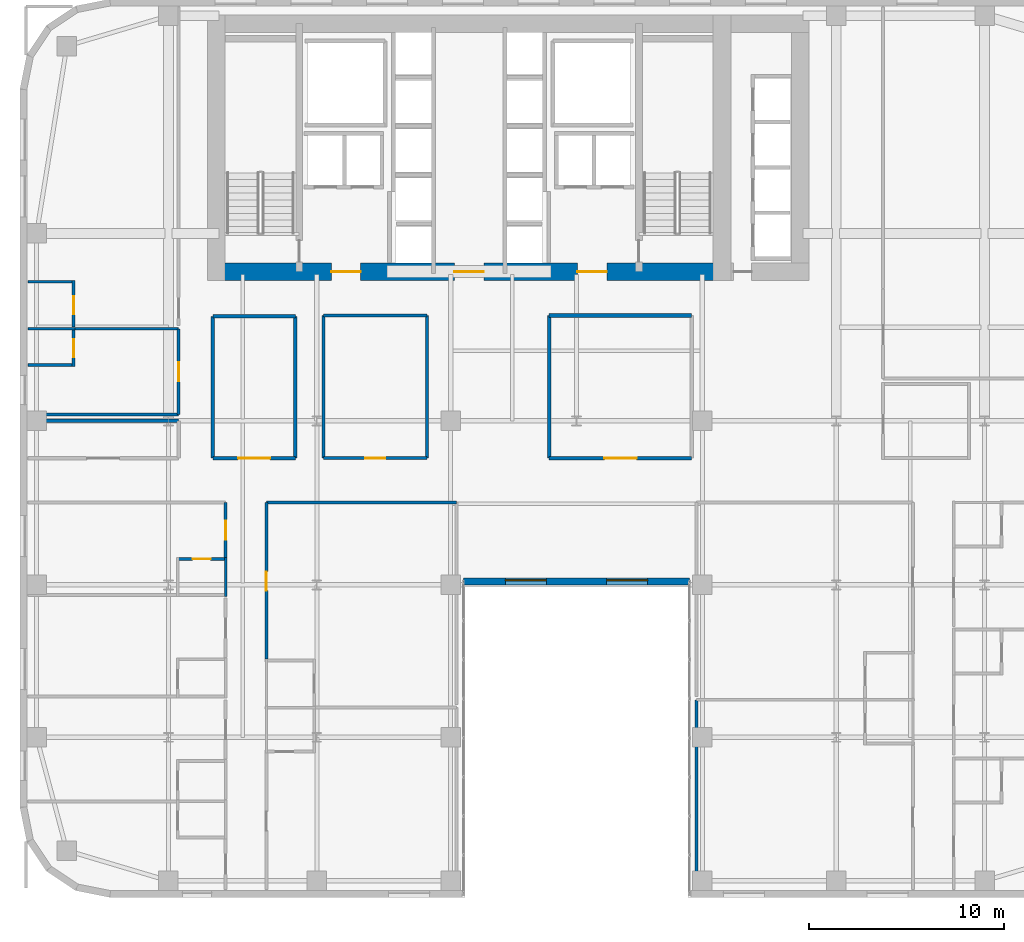
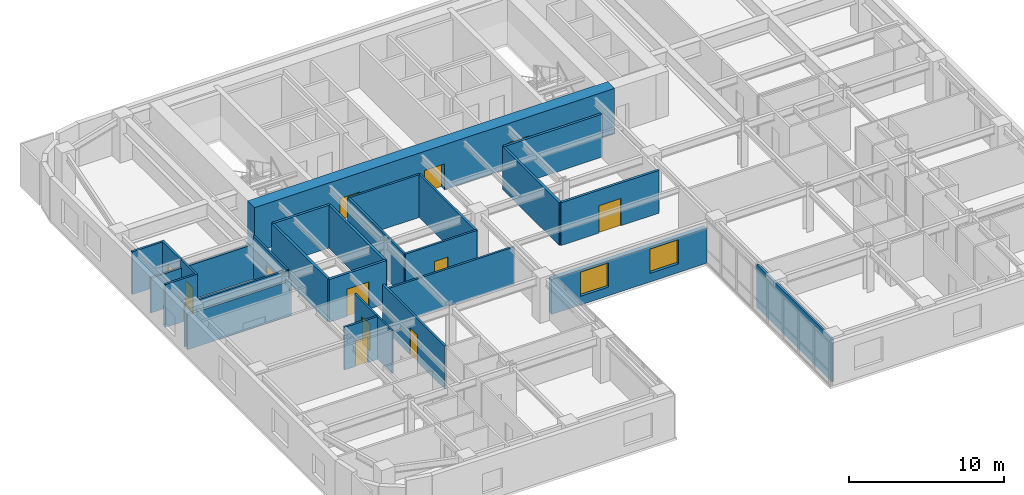
# One storey, part 11 of 16: 28 walls, 12 doors, 2 windows, 14 openings.
"""IFC4 building model written with IfcOpenShell, lengths in metres."""

from ifc_helpers import new_model, si_unit, direction, frame, frame_2d, origin, place, context, subcontext, project, spatial, rectangle, extrude, source, transform, mapped, material, layer, layer_set, type_object, type_shapes, element, fill, save


model = new_model("IFC4")

# Units and contexts
model_context = context("Model", 3, precision=1e-05, world=origin(), true_north=direction((0.0, 1.0)))
body_context = subcontext(model_context, "Body", "Model", "MODEL_VIEW")
ifc_project = project(units=[si_unit("LENGTHUNIT", "METRE"), si_unit("AREAUNIT", "SQUARE_METRE"), si_unit("VOLUMEUNIT", "CUBIC_METRE"), si_unit("PLANEANGLEUNIT", "RADIAN"), si_unit("MASSUNIT", "GRAM", prefix="KILO")], contexts=[model_context])

# Site, building, storey
site_placement = place(None, origin())
site = spatial("IfcSite", under=ifc_project, at=site_placement, CompositionType="ELEMENT")
building_placement = place(site_placement, origin())
building = spatial("IfcBuilding", under=site, at=building_placement, Name="Tolvann Quenvar Hotel", CompositionType="ELEMENT")
storey_placement = place(building_placement, frame((0.0, 0.0, 63.949951171875)))
storey = spatial("IfcBuildingStorey", under=building, at=storey_placement, Name="L15", CompositionType="ELEMENT", Elevation=63.949951171875)

# Wall, openings, doors
ifc_material_1 = material(Name="Concrete S80 (80 MPa)", Category="concrete")
ifc_layer_1 = layer(ifc_material_1, 0.89990234375)
ifc_layer_set_1 = layer_set([ifc_layer_1], Name="Concrete S80 (80 MPa)")
wall_type_1 = type_object("IfcWallType", Name="WALL_CORE_900", PredefinedType="SHEAR", material=ifc_layer_set_1)
wall_1_placement = place(storey_placement, frame((9.60009765625, 32.050048828125, 0.0), z_axis=(0.0, 0.0, 1.0), x_axis=(1.0, 0.0, 0.0)))
wall_1 = element("IfcWall", 1, at=wall_1_placement, inside=storey, type_object=wall_type_1, Name="Rear Core S Shear Wall (L15)", PredefinedType="SHEAR", context=body_context, shape_type="SweptSolid", body=[
    extrude(rectangle(XDim=26.7998046875, YDim=0.89990234375, at=frame_2d((13.39990234375, 0.0))), origin(), (0.0, 0.0, 1.0), 3.550048828125),
])
opening_1_placement = place(wall_1_placement, frame((7.85009765625, 0.0, 0.0), z_axis=(0.0, 0.0, 1.0), x_axis=(-1.0, 0.0, 0.0)))
opening_1 = element("IfcOpeningElement", 2, at=opening_1_placement, cuts=wall_1, Name="Opening FD-60D", PredefinedType="OPENING", context=body_context, shape_type="SweptSolid", body=[
    extrude(rectangle(XDim=1.5, YDim=2.0400390625, at=frame_2d((0.75, 1.02001953125))), frame((0.0, 0.4599609375, 0.0), z_axis=(0.0, -1.0, 0.0), x_axis=(1.0, 0.0, 0.0)), (0.0, 0.0, 1.0), 0.919921875),
])
opening_2_placement = place(wall_1_placement, frame((14.14990234375, 0.0, 0.0), z_axis=(0.0, 0.0, 1.0), x_axis=(-1.0, 0.0, 0.0)))
opening_2 = element("IfcOpeningElement", 3, at=opening_2_placement, cuts=wall_1, Name="Opening FD-60D", PredefinedType="OPENING", context=body_context, shape_type="SweptSolid", body=[
    extrude(rectangle(XDim=1.5, YDim=2.0400390625, at=frame_2d((0.75, 1.02001953125))), frame((0.0, 0.4599609375, 0.0), z_axis=(0.0, -1.0, 0.0), x_axis=(1.0, 0.0, 0.0)), (0.0, 0.0, 1.0), 0.919921875),
])
opening_3_placement = place(wall_1_placement, frame((20.449951171875, 0.0, 0.0), z_axis=(0.0, 0.0, 1.0), x_axis=(-1.0, 0.0, 0.0)))
opening_3 = element("IfcOpeningElement", 4, at=opening_3_placement, cuts=wall_1, Name="Opening FD-60D", PredefinedType="OPENING", context=body_context, shape_type="SweptSolid", body=[
    extrude(rectangle(XDim=1.5, YDim=2.0400390625, at=frame_2d((0.75, 1.02001953125))), frame((0.0, 0.4599609375, 0.0), z_axis=(0.0, -1.0, 0.0), x_axis=(1.0, 0.0, 0.0)), (0.0, 0.0, 1.0), 0.919921875),
])
ifc_material_2 = material(Name="Solid-core American oak acoustic fire door leaf in steel frame", Category="steel")
door_type_1 = type_object("IfcDoorType", Name="DOOR_FIRE_LOBBY_1500", OperationType="NOTDEFINED", PredefinedType="DOOR", material=ifc_material_2)
shared_shape_1 = source(origin(), body_context, "Body", "SweptSolid", [
    extrude(rectangle(XDim=1.5, YDim=2.0400390625, at=frame_2d((0.75, 1.02001953125))), frame((0.0, 0.02490234375, 0.0), z_axis=(0.0, -1.0, 0.0), x_axis=(1.0, 0.0, 0.0)), (0.0, 0.0, 1.0), 0.050048828125),
])
type_shapes(door_type_1, [shared_shape_1])
door_1_placement = place(opening_1_placement, origin())
door_1 = element("IfcDoor", 5, at=door_1_placement, inside=storey, type_object=door_type_1, Name="Core Lobby Fire Door FFW (L15)", OperationType="DOUBLE_DOOR_SINGLE_SWING", OverallHeight=2.0400390625, OverallWidth=1.5, PredefinedType="DOOR", context=body_context, shape_type="MappedRepresentation", body=[
    mapped(shared_shape_1, transform((0.0, 0.0, 0.0), x_axis=(1.0, 0.0, 0.0), y_axis=(0.0, 1.0, 0.0), z_axis=(0.0, 0.0, 1.0), scale=1.0)),
])
fill(opening_1, door_1)
door_2_placement = place(opening_2_placement, origin())
door_2 = element("IfcDoor", 6, at=door_2_placement, inside=storey, type_object=door_type_1, Name="Core Lobby Fire Door CLOB (L15)", OperationType="DOUBLE_DOOR_SINGLE_SWING", OverallHeight=2.0400390625, OverallWidth=1.5, PredefinedType="DOOR", context=body_context, shape_type="MappedRepresentation", body=[
    mapped(shared_shape_1, transform((0.0, 0.0, 0.0), x_axis=(1.0, 0.0, 0.0), y_axis=(0.0, 1.0, 0.0), z_axis=(0.0, 0.0, 1.0), scale=1.0)),
])
fill(opening_2, door_2)
door_3_placement = place(opening_3_placement, origin())
door_3 = element("IfcDoor", 7, at=door_3_placement, inside=storey, type_object=door_type_1, Name="Core Lobby Fire Door FFE (L15)", OperationType="DOUBLE_DOOR_SINGLE_SWING", OverallHeight=2.0400390625, OverallWidth=1.5, PredefinedType="DOOR", context=body_context, shape_type="MappedRepresentation", body=[
    mapped(shared_shape_1, transform((0.0, 0.0, 0.0), x_axis=(1.0, 0.0, 0.0), y_axis=(0.0, 1.0, 0.0), z_axis=(0.0, 0.0, 1.0), scale=1.0)),
])
fill(opening_3, door_3)

# Wall, openings, windows
ifc_material_3 = material(Name="Kiln-fired red and buff architectural clay brickwork and terracotta masonry", Category="masonry")
ifc_layer_2 = layer(ifc_material_3, 0.35009765625)
ifc_layer_set_2 = layer_set([ifc_layer_2], Name="Kiln-fired red and buff architectural clay brickwork and terracotta masonry")
wall_type_2 = type_object("IfcWallType", Name="WALL_EXT_BRICK_350", PredefinedType="SOLIDWALL", material=ifc_layer_set_2)
wall_2_placement = place(storey_placement, frame((22.7099609375, 16.175048828125, 0.0), z_axis=(0.0, 0.0, 1.0), x_axis=(1.0, 0.0, 0.0)))
wall_2 = element("IfcWall", 8, at=wall_2_placement, inside=storey, type_object=wall_type_2, Name="Exterior Chicago Brick Wall L15-E06", PredefinedType="SOLIDWALL", context=body_context, shape_type="SweptSolid", body=[
    extrude(rectangle(XDim=11.580078125, YDim=0.35009765625, at=frame_2d((5.7900390625, 0.0))), origin(), (0.0, 0.0, 1.0), 2.748046875),
])
opening_4_placement = place(wall_2_placement, frame((2.14501953125, 0.0, 0.679931640625)))
opening_4 = element("IfcOpeningElement", 9, at=opening_4_placement, cuts=wall_2, Name="Opening W-02", PredefinedType="OPENING", context=body_context, shape_type="SweptSolid", body=[
    extrude(rectangle(XDim=2.10009765625, YDim=1.89990234375, at=frame_2d((1.050048828125, 0.949951171875))), frame((0.0, 0.18505859375, 0.0), z_axis=(0.0, -1.0, 0.0), x_axis=(1.0, 0.0, 0.0)), (0.0, 0.0, 1.0), 0.3701171875),
])
opening_5_placement = place(wall_2_placement, frame((7.3349609375, 0.0, 0.679931640625)))
opening_5 = element("IfcOpeningElement", 10, at=opening_5_placement, cuts=wall_2, Name="Opening W-02", PredefinedType="OPENING", context=body_context, shape_type="SweptSolid", body=[
    extrude(rectangle(XDim=2.10009765625, YDim=1.89990234375, at=frame_2d((1.050048828125, 0.949951171875))), frame((0.0, 0.18505859375, 0.0), z_axis=(0.0, -1.0, 0.0), x_axis=(1.0, 0.0, 0.0)), (0.0, 0.0, 1.0), 0.3701171875),
])
ifc_material_4 = material(Name="Thermally broken bronze-anodised aluminium frame with double low-E glazing", Category="aluminium")
window_type = type_object("IfcWindowType", Name="WIN_CHI_2100x2050", PartitioningType="TRIPLE_PANEL_HORIZONTAL", PredefinedType="WINDOW", material=ifc_material_4)
shared_shape_2 = source(origin(), body_context, "Body", "SweptSolid", [
    extrude(rectangle(XDim=2.10009765625, YDim=1.89990234375, at=frame_2d((1.050048828125, 0.949951171875))), frame((0.0, 0.090087890625, 0.0), z_axis=(0.0, -1.0, 0.0), x_axis=(1.0, 0.0, 0.0)), (0.0, 0.0, 1.0), 0.06005859375),
])
type_shapes(window_type, [shared_shape_2])
window_1_placement = place(opening_4_placement, origin())
window_1 = element("IfcWindow", 11, at=window_1_placement, inside=storey, type_object=window_type, Name="Chicago Window W-02 (EW-L15-E06-W01)", OverallHeight=1.89990234375, OverallWidth=2.10009765625, PartitioningType="TRIPLE_PANEL_HORIZONTAL", PredefinedType="WINDOW", context=body_context, shape_type="MappedRepresentation", body=[
    mapped(shared_shape_2, transform((0.0, 0.0, 0.0), x_axis=(1.0, 0.0, 0.0), y_axis=(0.0, 1.0, 0.0), z_axis=(0.0, 0.0, 1.0), scale=1.0)),
])
fill(opening_4, window_1)
window_2_placement = place(opening_5_placement, origin())
window_2 = element("IfcWindow", 12, at=window_2_placement, inside=storey, type_object=window_type, Name="Chicago Window W-02 (EW-L15-E06-W02)", OverallHeight=1.89990234375, OverallWidth=2.10009765625, PartitioningType="TRIPLE_PANEL_HORIZONTAL", PredefinedType="WINDOW", context=body_context, shape_type="MappedRepresentation", body=[
    mapped(shared_shape_2, transform((0.0, 0.0, 0.0), x_axis=(1.0, 0.0, 0.0), y_axis=(0.0, 1.0, 0.0), z_axis=(0.0, 0.0, 1.0), scale=1.0)),
])
fill(opening_5, window_2)

# Wall
ifc_material_5 = material(Name="Acoustic twin-stud fire-rated gypsum plasterboard partition")
ifc_layer_3 = layer(ifc_material_5, 0.179931640625)
ifc_layer_set_3 = layer_set([ifc_layer_3], Name="Acoustic twin-stud fire-rated gypsum plasterboard partition")
wall_type_3 = type_object("IfcWallType", Name="WALL_PART_ACOUSTIC_180", PredefinedType="PARTITIONING", material=ifc_layer_set_3)
wall_3_placement = place(storey_placement, frame((0.405029296875, 24.39990234375, 0.0), z_axis=(0.0, 0.0, 1.0), x_axis=(1.0, 0.0, 0.0)))
element("IfcWall", 13, at=wall_3_placement, inside=storey, type_object=wall_type_3, Name="Interior Partition PT-SPC-L15-SAL-N", PredefinedType="PARTITIONING", context=body_context, shape_type="SweptSolid", body=[
    extrude(rectangle(XDim=7.715087890625, YDim=0.179931640625, at=frame_2d((3.857421875, 0.0))), origin(), (0.0, 0.0, 1.0), 2.748046875),
])

# Wall, opening, door
wall_4_placement = place(storey_placement, frame((9.8798828125, 22.5, 0.0), z_axis=(0.0, 0.0, 1.0), x_axis=(1.0, 0.0, 0.0)))
wall_4 = element("IfcWall", 14, at=wall_4_placement, inside=storey, type_object=wall_type_3, Name="Interior Partition PT-SPC-L15-MSP-W-S", PredefinedType="PARTITIONING", context=body_context, shape_type="SweptSolid", body=[
    extrude(rectangle(XDim=4.22021484375, YDim=0.179931640625, at=frame_2d((2.110107421875, 0.0))), origin(), (0.0, 0.0, 1.0), 3.3701171875),
])
opening_6_placement = place(wall_4_placement, frame((1.284912109375, 0.0, 0.0)))
opening_6 = element("IfcOpeningElement", 15, at=opening_6_placement, cuts=wall_4, Name="Opening AD-01", PredefinedType="OPENING", context=body_context, shape_type="SweptSolid", body=[
    extrude(rectangle(XDim=1.64990234375, YDim=2.14990234375, at=frame_2d((0.824951171875, 1.074951171875))), frame((0.0, 0.10009765625, 0.0), z_axis=(0.0, -1.0, 0.0), x_axis=(1.0, 0.0, 0.0)), (0.0, 0.0, 1.0), 0.199951171875),
])
door_type_2 = type_object("IfcDoorType", Name="DOOR_SALON_1650", OperationType="NOTDEFINED", PredefinedType="DOOR", material=ifc_material_2)
shared_shape_3 = source(origin(), body_context, "Body", "SweptSolid", [
    extrude(rectangle(XDim=1.64990234375, YDim=2.14990234375, at=frame_2d((0.824951171875, 1.074951171875))), frame((0.0, 0.02490234375, 0.0), z_axis=(0.0, -1.0, 0.0), x_axis=(1.0, 0.0, 0.0)), (0.0, 0.0, 1.0), 0.050048828125),
])
type_shapes(door_type_2, [shared_shape_3])
door_4_placement = place(opening_6_placement, origin())
door_4 = element("IfcDoor", 16, at=door_4_placement, inside=storey, type_object=door_type_2, Name="Interior Door DOOR-SPC-L15-MSP-W", OperationType="DOUBLE_DOOR_SINGLE_SWING", OverallHeight=2.14990234375, OverallWidth=1.64990234375, PredefinedType="DOOR", context=body_context, shape_type="MappedRepresentation", body=[
    mapped(shared_shape_3, transform((0.0, 0.0, 0.0), x_axis=(1.0, 0.0, 0.0), y_axis=(0.0, 1.0, 0.0), z_axis=(0.0, 0.0, 1.0), scale=1.0)),
])
fill(opening_6, door_4)

# Walls
wall_5_placement = place(storey_placement, frame((9.8798828125, 29.75, 0.0), z_axis=(0.0, 0.0, 1.0), x_axis=(1.0, 0.0, 0.0)))
element("IfcWall", 17, at=wall_5_placement, inside=storey, type_object=wall_type_3, Name="Interior Partition PT-SPC-L15-MSP-W-N", PredefinedType="PARTITIONING", context=body_context, shape_type="SweptSolid", body=[
    extrude(rectangle(XDim=4.22021484375, YDim=0.179931640625, at=frame_2d((2.110107421875, 0.0))), origin(), (0.0, 0.0, 1.0), 3.3701171875),
])
for number, where, z_axis, x_axis, name in (
    (18, (9.8798828125, 22.5, 0.0), (0.0, 0.0, 1.0), (0.0, 1.0, 0.0), "Interior Partition PT-SPC-L15-MSP-W-W"),
    (19, (14.10009765625, 22.5, 0.0), (0.0, 0.0, 1.0), (0.0, 1.0, 0.0), "Interior Partition PT-SPC-L15-MSP-W-E"),
):
    element("IfcWall", number, at=place(storey_placement, frame(where, z_axis=z_axis, x_axis=x_axis)), inside=storey, type_object=wall_type_3, Name=name, PredefinedType="PARTITIONING", context=body_context, shape_type="SweptSolid", body=[
        extrude(rectangle(XDim=7.25, YDim=0.179931640625, at=frame_2d((3.625, 0.0))), origin(), (0.0, 0.0, 1.0), 3.3701171875),
    ])

# Wall, opening, door
wall_6_placement = place(storey_placement, frame((27.10009765625, 22.5, 0.0), z_axis=(0.0, 0.0, 1.0), x_axis=(1.0, 0.0, 0.0)))
wall_6 = element("IfcWall", 20, at=wall_6_placement, inside=storey, type_object=wall_type_3, Name="Interior Partition PT-SPC-L15-MSP-C-S", PredefinedType="PARTITIONING", context=body_context, shape_type="SweptSolid", body=[
    extrude(rectangle(XDim=7.2998046875, YDim=0.179931640625, at=frame_2d((3.64990234375, 0.0))), origin(), (0.0, 0.0, 1.0), 3.3701171875),
])
opening_7_placement = place(wall_6_placement, frame((2.824951171875, 0.0, 0.0)))
opening_7 = element("IfcOpeningElement", 21, at=opening_7_placement, cuts=wall_6, Name="Opening AD-01", PredefinedType="OPENING", context=body_context, shape_type="SweptSolid", body=[
    extrude(rectangle(XDim=1.64990234375, YDim=2.14990234375, at=frame_2d((0.824951171875, 1.074951171875))), frame((0.0, 0.10009765625, 0.0), z_axis=(0.0, -1.0, 0.0), x_axis=(1.0, 0.0, 0.0)), (0.0, 0.0, 1.0), 0.199951171875),
])
door_5_placement = place(opening_7_placement, origin())
door_5 = element("IfcDoor", 22, at=door_5_placement, inside=storey, type_object=door_type_2, Name="Interior Door DOOR-SPC-L15-MSP-C", OperationType="DOUBLE_DOOR_SINGLE_SWING", OverallHeight=2.14990234375, OverallWidth=1.64990234375, PredefinedType="DOOR", context=body_context, shape_type="MappedRepresentation", body=[
    mapped(shared_shape_3, transform((0.0, 0.0, 0.0), x_axis=(1.0, 0.0, 0.0), y_axis=(0.0, 1.0, 0.0), z_axis=(0.0, 0.0, 1.0), scale=1.0)),
])
fill(opening_7, door_5)

# Walls
wall_7_placement = place(storey_placement, frame((27.10009765625, 29.800048828125, 0.0), z_axis=(0.0, 0.0, 1.0), x_axis=(1.0, 0.0, 0.0)))
element("IfcWall", 23, at=wall_7_placement, inside=storey, type_object=wall_type_3, Name="Interior Partition PT-SPC-L15-MSP-C-N", PredefinedType="PARTITIONING", context=body_context, shape_type="SweptSolid", body=[
    extrude(rectangle(XDim=7.2998046875, YDim=0.179931640625, at=frame_2d((3.64990234375, 0.0))), origin(), (0.0, 0.0, 1.0), 3.3701171875),
])
wall_8_placement = place(storey_placement, frame((27.10009765625, 22.5, 0.0), z_axis=(0.0, 0.0, 1.0), x_axis=(0.0, 1.0, 0.0)))
element("IfcWall", 24, at=wall_8_placement, inside=storey, type_object=wall_type_3, Name="Interior Partition PT-SPC-L15-MSP-C-W", PredefinedType="PARTITIONING", context=body_context, shape_type="SweptSolid", body=[
    extrude(rectangle(XDim=7.300048828125, YDim=0.179931640625, at=frame_2d((3.64990234375, 0.0))), origin(), (0.0, 0.0, 1.0), 3.3701171875),
])
ifc_material_6 = material(Name="Moisture-resistant acoustic plumbing wall assembly")
ifc_layer_4 = layer(ifc_material_6, 0.1201171875)
ifc_layer_set_4 = layer_set([ifc_layer_4], Name="Moisture-resistant acoustic plumbing wall assembly")
wall_type_4 = type_object("IfcWallType", Name="WALL_PART_BATH_120", PredefinedType="PLUMBINGWALL", material=ifc_layer_set_4)
wall_9_placement = place(storey_placement, frame((10.530029296875, 15.409912109375, 0.0), z_axis=(0.0, 0.0, 1.0), x_axis=(0.0, 1.0, 0.0)))
element("IfcWall", 25, at=wall_9_placement, inside=storey, type_object=wall_type_4, Name="Non-Rated Plumbing Partition PT-SPC-L15-ENS-WO04-E", PredefinedType="PLUMBINGWALL", context=body_context, shape_type="SweptSolid", body=[
    extrude(rectangle(XDim=1.989990234375, YDim=0.1201171875, at=frame_2d((0.9951171875, 0.0))), origin(), (0.0, 0.0, 1.0), 3.3701171875),
])
wall_10_placement = place(storey_placement, frame((0.405029296875, 29.1201171875, 0.0), z_axis=(0.0, 0.0, 1.0), x_axis=(1.0, 0.0, 0.0)))
element("IfcWall", 26, at=wall_10_placement, inside=storey, type_object=wall_type_4, Name="Non-Rated Plumbing Partition PT-SPC-L15-ENS-NW01-N", PredefinedType="PLUMBINGWALL", context=body_context, shape_type="SweptSolid", body=[
    extrude(rectangle(XDim=2.4150390625, YDim=0.1201171875, at=frame_2d((1.20751953125, 0.0))), origin(), (0.0, 0.0, 1.0), 2.748046875),
])

# Wall, opening, door
ifc_layer_5 = layer(ifc_material_5, 0.14990234375)
ifc_layer_set_5 = layer_set([ifc_layer_5], Name="Acoustic twin-stud fire-rated gypsum plasterboard partition")
wall_type_5 = type_object("IfcWallType", Name="WALL_PART_SUITE_150", PredefinedType="PARTITIONING", material=ifc_layer_set_5)
wall_11_placement = place(storey_placement, frame((8.010009765625, 17.330078125, 0.0), z_axis=(0.0, 0.0, 1.0), x_axis=(1.0, 0.0, 0.0)))
wall_11 = element("IfcWall", 27, at=wall_11_placement, inside=storey, type_object=wall_type_5, Name="Interior Partition PT-SPC-L15-ENS-WO04-N", PredefinedType="PARTITIONING", context=body_context, shape_type="SweptSolid", body=[
    extrude(rectangle(XDim=2.590087890625, YDim=0.14990234375, at=frame_2d((1.294921875, 0.0))), origin(), (0.0, 0.0, 1.0), 3.3701171875),
])
opening_8_placement = place(wall_11_placement, frame((0.8349609375, 0.0, 0.0)))
opening_8 = element("IfcOpeningElement", 28, at=opening_8_placement, cuts=wall_11, Name="Opening WD-01", PredefinedType="OPENING", context=body_context, shape_type="SweptSolid", body=[
    extrude(rectangle(XDim=0.919921875, YDim=2.010009765625, at=frame_2d((0.4599609375, 1.0048828125))), frame((0.0, 0.0849609375, 0.0), z_axis=(0.0, -1.0, 0.0), x_axis=(1.0, 0.0, 0.0)), (0.0, 0.0, 1.0), 0.169921875),
])
door_type_3 = type_object("IfcDoorType", Name="DOOR_WC_920", OperationType="NOTDEFINED", PredefinedType="DOOR", material=ifc_material_2)
shared_shape_4 = source(origin(), body_context, "Body", "SweptSolid", [
    extrude(rectangle(XDim=0.919921875, YDim=2.010009765625, at=frame_2d((0.4599609375, 1.0048828125))), frame((0.0, 0.02490234375, 0.0), z_axis=(0.0, -1.0, 0.0), x_axis=(1.0, 0.0, 0.0)), (0.0, 0.0, 1.0), 0.050048828125),
])
type_shapes(door_type_3, [shared_shape_4])
door_6_placement = place(opening_8_placement, origin())
door_6 = element("IfcDoor", 29, at=door_6_placement, inside=storey, type_object=door_type_3, Name="Interior Door DOOR-SPC-L15-ENS-WO04", OperationType="SINGLE_SWING_LEFT", OverallHeight=2.010009765625, OverallWidth=0.919921875, PredefinedType="DOOR", context=body_context, shape_type="MappedRepresentation", body=[
    mapped(shared_shape_4, transform((0.0, 0.0, 0.0), x_axis=(1.0, 0.0, 0.0), y_axis=(0.0, 1.0, 0.0), z_axis=(0.0, 0.0, 1.0), scale=1.0)),
])
fill(opening_8, door_6)

wall_12_placement = place(storey_placement, frame((2.75, 27.199951171875, 0.0), z_axis=(0.0, 0.0, 1.0), x_axis=(0.0, 1.0, 0.0)))
wall_12 = element("IfcWall", 30, at=wall_12_placement, inside=storey, type_object=wall_type_5, Name="Interior Partition PT-SPC-L15-ENS-NW01-ENT", PredefinedType="PARTITIONING", context=body_context, shape_type="SweptSolid", body=[
    extrude(rectangle(XDim=1.989990234375, YDim=0.14990234375, at=frame_2d((0.9951171875, 0.0))), origin(), (0.0, 0.0, 1.0), 3.3701171875),
])
opening_9_placement = place(wall_12_placement, frame((0.465087890625, 0.0, 0.0)))
opening_9 = element("IfcOpeningElement", 31, at=opening_9_placement, cuts=wall_12, Name="Opening WD-01", PredefinedType="OPENING", context=body_context, shape_type="SweptSolid", body=[
    extrude(rectangle(XDim=0.919921875, YDim=2.010009765625, at=frame_2d((0.4599609375, 1.0048828125))), frame((0.0, 0.0849609375, 0.0), z_axis=(0.0, -1.0, 0.0), x_axis=(1.0, 0.0, 0.0)), (0.0, 0.0, 1.0), 0.169921875),
])
door_7_placement = place(opening_9_placement, origin())
door_7 = element("IfcDoor", 32, at=door_7_placement, inside=storey, type_object=door_type_3, Name="Interior Door DOOR-SPC-L15-ENS-NW01", OperationType="SINGLE_SWING_LEFT", OverallHeight=2.010009765625, OverallWidth=0.919921875, PredefinedType="DOOR", context=body_context, shape_type="MappedRepresentation", body=[
    mapped(shared_shape_4, transform((0.0, 0.0, 0.0), x_axis=(1.0, 0.0, 0.0), y_axis=(0.0, 1.0, 0.0), z_axis=(0.0, 0.0, 1.0), scale=1.0)),
])
fill(opening_9, door_7)

# Wall
wall_13_placement = place(storey_placement, frame((0.405029296875, 27.27001953125, 0.0), z_axis=(0.0, 0.0, 1.0), x_axis=(1.0, 0.0, 0.0)))
element("IfcWall", 33, at=wall_13_placement, inside=storey, type_object=wall_type_5, Name="Interior Partition PT-SPC-L15-ENS-NW01-S", PredefinedType="PARTITIONING", context=body_context, shape_type="SweptSolid", body=[
    extrude(rectangle(XDim=2.4150390625, YDim=0.14990234375, at=frame_2d((1.20751953125, 0.0))), origin(), (0.0, 0.0, 1.0), 3.3701171875),
])

# Wall, opening, door
wall_14_placement = place(storey_placement, frame((2.75, 29.2099609375, 0.0), z_axis=(0.0, 0.0, 1.0), x_axis=(0.0, 1.0, 0.0)))
wall_14 = element("IfcWall", 34, at=wall_14_placement, inside=storey, type_object=wall_type_5, Name="Interior Partition PT-SPC-L15-ENS-NW02-ENT", PredefinedType="PARTITIONING", context=body_context, shape_type="SweptSolid", body=[
    extrude(rectangle(XDim=2.39013671875, YDim=0.14990234375, at=frame_2d((1.195068359375, 0.0))), origin(), (0.0, 0.0, 1.0), 3.3701171875),
])
opening_10_placement = place(wall_14_placement, frame((0.6650390625, 0.0, 0.0)))
opening_10 = element("IfcOpeningElement", 35, at=opening_10_placement, cuts=wall_14, Name="Opening WD-01", PredefinedType="OPENING", context=body_context, shape_type="SweptSolid", body=[
    extrude(rectangle(XDim=0.919921875, YDim=2.010009765625, at=frame_2d((0.4599609375, 1.0048828125))), frame((0.0, 0.0849609375, 0.0), z_axis=(0.0, -1.0, 0.0), x_axis=(1.0, 0.0, 0.0)), (0.0, 0.0, 1.0), 0.169921875),
])
door_8_placement = place(opening_10_placement, origin())
door_8 = element("IfcDoor", 36, at=door_8_placement, inside=storey, type_object=door_type_3, Name="Interior Door DOOR-SPC-L15-ENS-NW02", OperationType="SINGLE_SWING_RIGHT", OverallHeight=2.010009765625, OverallWidth=0.919921875, PredefinedType="DOOR", context=body_context, shape_type="MappedRepresentation", body=[
    mapped(shared_shape_4, transform((0.0, 0.0, 0.0), x_axis=(1.0, 0.0, 0.0), y_axis=(0.0, 1.0, 0.0), z_axis=(0.0, 0.0, 1.0), scale=1.0)),
])
fill(opening_10, door_8)

# Wall
wall_15_placement = place(storey_placement, frame((0.405029296875, 31.530029296875, 0.0), z_axis=(0.0, 0.0, 1.0), x_axis=(1.0, 0.0, 0.0)))
element("IfcWall", 37, at=wall_15_placement, inside=storey, type_object=wall_type_5, Name="Interior Partition PT-SPC-L15-ENS-NW02-N", PredefinedType="PARTITIONING", context=body_context, shape_type="SweptSolid", body=[
    extrude(rectangle(XDim=2.4150390625, YDim=0.14990234375, at=frame_2d((1.20751953125, 0.0))), origin(), (0.0, 0.0, 1.0), 3.3701171875),
])

# Wall, opening, door
wall_16_placement = place(storey_placement, frame((10.530029296875, 17.409912109375, 0.0), z_axis=(0.0, 0.0, 1.0), x_axis=(0.0, 1.0, 0.0)))
wall_16 = element("IfcWall", 38, at=wall_16_placement, inside=storey, type_object=wall_type_5, Name="Interior Partition PT-SPC-L15-RM-WO04-ENT", PredefinedType="PARTITIONING", context=body_context, shape_type="SweptSolid", body=[
    extrude(rectangle(XDim=2.81005859375, YDim=0.14990234375, at=frame_2d((1.405029296875, 0.0))), origin(), (0.0, 0.0, 1.0), 3.3701171875),
])
opening_11_placement = place(wall_16_placement, frame((0.89501953125, 0.0, 0.0)))
opening_11 = element("IfcOpeningElement", 39, at=opening_11_placement, cuts=wall_16, Name="Opening SD-01", PredefinedType="OPENING", context=body_context, shape_type="SweptSolid", body=[
    extrude(rectangle(XDim=0.97998046875, YDim=2.1201171875, at=frame_2d((0.489990234375, 1.06005859375))), frame((0.0, 0.0849609375, 0.0), z_axis=(0.0, -1.0, 0.0), x_axis=(1.0, 0.0, 0.0)), (0.0, 0.0, 1.0), 0.169921875),
])
door_type_4 = type_object("IfcDoorType", Name="DOOR_SUITE_980", OperationType="NOTDEFINED", PredefinedType="DOOR", material=ifc_material_2)
shared_shape_5 = source(origin(), body_context, "Body", "SweptSolid", [
    extrude(rectangle(XDim=0.97998046875, YDim=2.1201171875, at=frame_2d((0.489990234375, 1.06005859375))), frame((0.0, 0.02490234375, 0.0), z_axis=(0.0, -1.0, 0.0), x_axis=(1.0, 0.0, 0.0)), (0.0, 0.0, 1.0), 0.050048828125),
])
type_shapes(door_type_4, [shared_shape_5])
door_9_placement = place(opening_11_placement, origin())
door_9 = element("IfcDoor", 40, at=door_9_placement, inside=storey, type_object=door_type_4, Name="Interior Door DOOR-SPC-L15-RM-WO04", OperationType="SINGLE_SWING_LEFT", OverallHeight=2.1201171875, OverallWidth=0.97998046875, PredefinedType="DOOR", context=body_context, shape_type="MappedRepresentation", body=[
    mapped(shared_shape_5, transform((0.0, 0.0, 0.0), x_axis=(1.0, 0.0, 0.0), y_axis=(0.0, 1.0, 0.0), z_axis=(0.0, 0.0, 1.0), scale=1.0)),
])
fill(opening_11, door_9)

wall_17_placement = place(storey_placement, frame((12.6201171875, 12.2099609375, 0.0), z_axis=(0.0, 0.0, 1.0), x_axis=(0.0, 1.0, 0.0)))
wall_17 = element("IfcWall", 41, at=wall_17_placement, inside=storey, type_object=wall_type_5, Name="Interior Partition PT-SPC-L15-RM-WI02-ENT", PredefinedType="PARTITIONING", context=body_context, shape_type="SweptSolid", body=[
    extrude(rectangle(XDim=8.010009765625, YDim=0.14990234375, at=frame_2d((4.0048828125, 0.0))), origin(), (0.0, 0.0, 1.0), 3.3701171875),
])
opening_12_placement = place(wall_17_placement, frame((3.4951171875, 0.0, 0.0)))
opening_12 = element("IfcOpeningElement", 42, at=opening_12_placement, cuts=wall_17, Name="Opening SD-01", PredefinedType="OPENING", context=body_context, shape_type="SweptSolid", body=[
    extrude(rectangle(XDim=0.97998046875, YDim=2.1201171875, at=frame_2d((0.489990234375, 1.06005859375))), frame((0.0, 0.0849609375, 0.0), z_axis=(0.0, -1.0, 0.0), x_axis=(1.0, 0.0, 0.0)), (0.0, 0.0, 1.0), 0.169921875),
])
door_10_placement = place(opening_12_placement, origin())
door_10 = element("IfcDoor", 43, at=door_10_placement, inside=storey, type_object=door_type_4, Name="Interior Door DOOR-SPC-L15-RM-WI02", OperationType="SINGLE_SWING_LEFT", OverallHeight=2.1201171875, OverallWidth=0.97998046875, PredefinedType="DOOR", context=body_context, shape_type="MappedRepresentation", body=[
    mapped(shared_shape_5, transform((0.0, 0.0, 0.0), x_axis=(1.0, 0.0, 0.0), y_axis=(0.0, 1.0, 0.0), z_axis=(0.0, 0.0, 1.0), scale=1.0)),
])
fill(opening_12, door_10)

# Walls
wall_18_placement = place(storey_placement, frame((12.6201171875, 20.219970703125, 0.0), z_axis=(0.0, 0.0, 1.0), x_axis=(1.0, 0.0, 0.0)))
element("IfcWall", 44, at=wall_18_placement, inside=storey, type_object=wall_type_5, Name="Interior Partition PT-SPC-L15-RM-WI02-E5", PredefinedType="PARTITIONING", context=body_context, shape_type="SweptSolid", body=[
    extrude(rectangle(XDim=9.72998046875, YDim=0.14990234375, at=frame_2d((4.864990234375, 0.0))), origin(), (0.0, 0.0, 1.0), 2.9541015625),
])
wall_19_placement = place(storey_placement, frame((34.64990234375, 0.405029296875, 0.0), z_axis=(0.0, 0.0, 1.0), x_axis=(0.0, 1.0, 0.0)))
element("IfcWall", 45, at=wall_19_placement, inside=storey, type_object=wall_type_5, Name="Interior Partition PT-SPC-L15-RM-EI01-E6", PredefinedType="PARTITIONING", context=body_context, shape_type="SweptSolid", body=[
    extrude(rectangle(XDim=9.715087890625, YDim=0.14990234375, at=frame_2d((4.857421875, 0.0))), origin(), (0.0, 0.0, 1.0), 3.3701171875),
])

# Wall, opening, door
wall_20_placement = place(storey_placement, frame((8.1201171875, 24.72998046875, 0.0), z_axis=(0.0, 0.0, 1.0), x_axis=(0.0, 1.0, 0.0)))
wall_20 = element("IfcWall", 46, at=wall_20_placement, inside=storey, type_object=wall_type_5, Name="Interior Partition PT-SPC-L15-RM-NW01-ENT", PredefinedType="PARTITIONING", context=body_context, shape_type="SweptSolid", body=[
    extrude(rectangle(XDim=4.39013671875, YDim=0.14990234375, at=frame_2d((2.195068359375, 0.0))), origin(), (0.0, 0.0, 1.0), 3.3701171875),
])
opening_13_placement = place(wall_20_placement, frame((1.705078125, 0.0, 0.0)))
opening_13 = element("IfcOpeningElement", 47, at=opening_13_placement, cuts=wall_20, Name="Opening SD-01", PredefinedType="OPENING", context=body_context, shape_type="SweptSolid", body=[
    extrude(rectangle(XDim=0.97998046875, YDim=2.1201171875, at=frame_2d((0.489990234375, 1.06005859375))), frame((0.0, 0.0849609375, 0.0), z_axis=(0.0, -1.0, 0.0), x_axis=(1.0, 0.0, 0.0)), (0.0, 0.0, 1.0), 0.169921875),
])
door_11_placement = place(opening_13_placement, origin())
door_11 = element("IfcDoor", 48, at=door_11_placement, inside=storey, type_object=door_type_4, Name="Interior Door DOOR-SPC-L15-RM-NW01", OperationType="SINGLE_SWING_LEFT", OverallHeight=2.1201171875, OverallWidth=0.97998046875, PredefinedType="DOOR", context=body_context, shape_type="MappedRepresentation", body=[
    mapped(shared_shape_5, transform((0.0, 0.0, 0.0), x_axis=(1.0, 0.0, 0.0), y_axis=(0.0, 1.0, 0.0), z_axis=(0.0, 0.0, 1.0), scale=1.0)),
])
fill(opening_13, door_11)

# Walls
wall_21_placement = place(storey_placement, frame((0.405029296875, 24.72998046875, 0.0), z_axis=(0.0, 0.0, 1.0), x_axis=(1.0, 0.0, 0.0)))
element("IfcWall", 49, at=wall_21_placement, inside=storey, type_object=wall_type_5, Name="Interior Partition PT-SPC-L15-RM-NW01-E1", PredefinedType="PARTITIONING", context=body_context, shape_type="SweptSolid", body=[
    extrude(rectangle(XDim=7.715087890625, YDim=0.14990234375, at=frame_2d((3.857421875, 0.0))), origin(), (0.0, 0.0, 1.0), 3.3701171875),
])
wall_22_placement = place(storey_placement, frame((2.77001953125, 29.1201171875, 0.0), z_axis=(0.0, 0.0, 1.0), x_axis=(1.0, 0.0, 0.0)))
element("IfcWall", 50, at=wall_22_placement, inside=storey, type_object=wall_type_5, Name="Interior Partition PT-SPC-L15-RM-NW01-E3", PredefinedType="PARTITIONING", context=body_context, shape_type="SweptSolid", body=[
    extrude(rectangle(XDim=5.35009765625, YDim=0.14990234375, at=frame_2d((2.675048828125, 0.0))), origin(), (0.0, 0.0, 1.0), 2.748046875),
])

# Wall, opening, door
wall_23_placement = place(storey_placement, frame((15.550048828125, 22.5, 0.0), z_axis=(0.0, 0.0, 1.0), x_axis=(1.0, 0.0, 0.0)))
wall_23 = element("IfcWall", 51, at=wall_23_placement, inside=storey, type_object=wall_type_5, Name="Interior Partition PT-SPC-L15-MSP-N-S", PredefinedType="PARTITIONING", context=body_context, shape_type="SweptSolid", body=[
    extrude(rectangle(XDim=5.300048828125, YDim=0.14990234375, at=frame_2d((2.64990234375, 0.0))), origin(), (0.0, 0.0, 1.0), 3.3701171875),
])
opening_14_placement = place(wall_23_placement, frame((2.139892578125, 0.0, 0.0)))
opening_14 = element("IfcOpeningElement", 52, at=opening_14_placement, cuts=wall_23, Name="Opening HD-01", PredefinedType="OPENING", context=body_context, shape_type="SweptSolid", body=[
    extrude(rectangle(XDim=1.02001953125, YDim=2.030029296875, at=frame_2d((0.510009765625, 1.01513671875))), frame((0.0, 0.0849609375, 0.0), z_axis=(0.0, -1.0, 0.0), x_axis=(1.0, 0.0, 0.0)), (0.0, 0.0, 1.0), 0.169921875),
])
ifc_material_7 = material(Name="Pressed galvanised steel fire-rated door set", Category="steel")
door_type_5 = type_object("IfcDoorType", Name="DOOR_BOH_1020", OperationType="NOTDEFINED", PredefinedType="DOOR", material=ifc_material_7)
shared_shape_6 = source(origin(), body_context, "Body", "SweptSolid", [
    extrude(rectangle(XDim=1.02001953125, YDim=2.030029296875, at=frame_2d((0.510009765625, 1.01513671875))), frame((0.0, 0.02490234375, 0.0), z_axis=(0.0, -1.0, 0.0), x_axis=(1.0, 0.0, 0.0)), (0.0, 0.0, 1.0), 0.050048828125),
])
type_shapes(door_type_5, [shared_shape_6])
door_12_placement = place(opening_14_placement, origin())
door_12 = element("IfcDoor", 53, at=door_12_placement, inside=storey, type_object=door_type_5, Name="Interior Door DOOR-SPC-L15-MSP-N", OperationType="SINGLE_SWING_LEFT", OverallHeight=2.030029296875, OverallWidth=1.02001953125, PredefinedType="DOOR", context=body_context, shape_type="MappedRepresentation", body=[
    mapped(shared_shape_6, transform((0.0, 0.0, 0.0), x_axis=(1.0, 0.0, 0.0), y_axis=(0.0, 1.0, 0.0), z_axis=(0.0, 0.0, 1.0), scale=1.0)),
])
fill(opening_14, door_12)

# Walls
wall_24_placement = place(storey_placement, frame((15.550048828125, 29.800048828125, 0.0), z_axis=(0.0, 0.0, 1.0), x_axis=(1.0, 0.0, 0.0)))
element("IfcWall", 54, at=wall_24_placement, inside=storey, type_object=wall_type_5, Name="Interior Partition PT-SPC-L15-MSP-N-N", PredefinedType="PARTITIONING", context=body_context, shape_type="SweptSolid", body=[
    extrude(rectangle(XDim=5.300048828125, YDim=0.14990234375, at=frame_2d((2.64990234375, 0.0))), origin(), (0.0, 0.0, 1.0), 3.3701171875),
])
for number, where, z_axis, x_axis, name in (
    (55, (15.550048828125, 22.5, 0.0), (0.0, 0.0, 1.0), (0.0, 1.0, 0.0), "Interior Partition PT-SPC-L15-MSP-N-W"),
    (56, (20.85009765625, 22.5, 0.0), (0.0, 0.0, 1.0), (0.0, 1.0, 0.0), "Interior Partition PT-SPC-L15-MSP-N-E"),
):
    element("IfcWall", number, at=place(storey_placement, frame(where, z_axis=z_axis, x_axis=x_axis)), inside=storey, type_object=wall_type_5, Name=name, PredefinedType="PARTITIONING", context=body_context, shape_type="SweptSolid", body=[
        extrude(rectangle(XDim=7.300048828125, YDim=0.14990234375, at=frame_2d((3.64990234375, 0.0))), origin(), (0.0, 0.0, 1.0), 3.3701171875),
    ])

save(model, "model.ifc")
